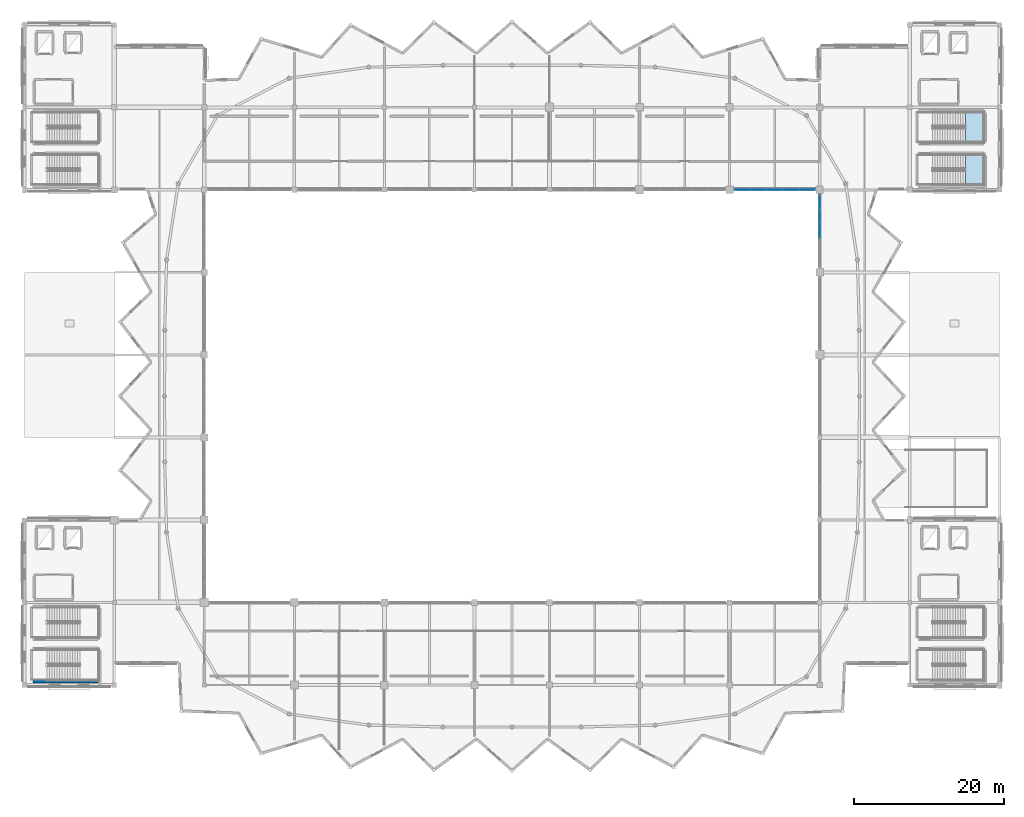
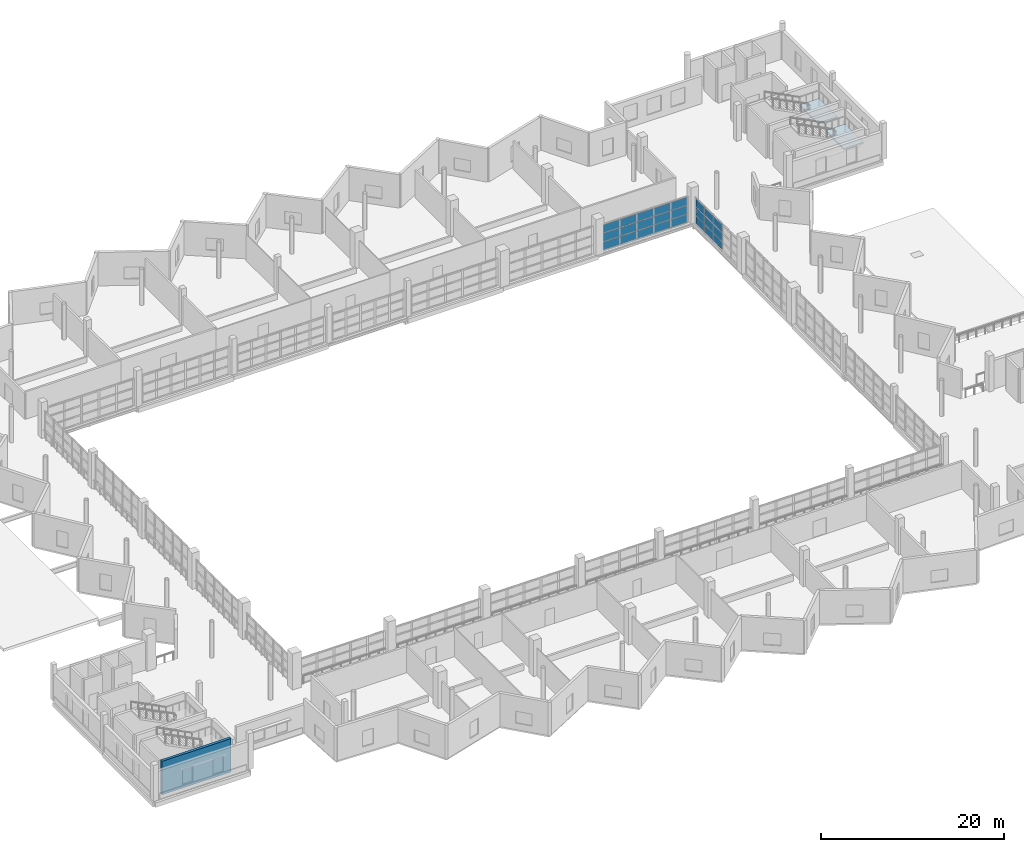
# One storey, part 34 of 53: 24 plates, 2 slabs, 1 wall, 4 elements without a shape of their own.
"""IFC4 building model written with IfcOpenShell, lengths in metres."""

from ifc_helpers import new_model, si_unit, direction, frame, frame_2d, origin, origin_2d, place, context, subcontext, project, spatial, polyline, rectangle, outline, extrude, material, layer, layer_set, type_object, element, aggregate, save


model = new_model("IFC4")

# Units and contexts
model_context = context("Model", 3, precision=1e-05, world=origin(), true_north=direction((0.0, 1.0)))
body_context = subcontext(model_context, "Body", "Model", "MODEL_VIEW")
ifc_project = project(units=[si_unit("LENGTHUNIT", "METRE"), si_unit("AREAUNIT", "SQUARE_METRE"), si_unit("VOLUMEUNIT", "CUBIC_METRE"), si_unit("PLANEANGLEUNIT", "RADIAN"), si_unit("MASSUNIT", "GRAM", prefix="KILO")], contexts=[model_context])

# Site, building, storey
site_placement = place(None, origin())
site = spatial("IfcSite", under=ifc_project, at=site_placement, CompositionType="ELEMENT")
building_placement = place(site_placement, origin())
building = spatial("IfcBuilding", under=site, at=building_placement, Name="Luwafu Chhajja Arena", CompositionType="ELEMENT")
storey_placement = place(building_placement, frame((0.0, 0.0, 19.5)))
storey = spatial("IfcBuildingStorey", under=building, at=storey_placement, Name="L04", CompositionType="ELEMENT", Elevation=19.5)

# Curtain wall, plates
ifc_material_1 = material(Name="Anodised bronze aluminium", Category="aluminium")
curtain_wall_type = type_object("IfcCurtainWallType", Name="Media Ribbon Curtain Wall", PredefinedType="USERDEFINED", material=ifc_material_1)
curtain_wall_1_placement = place(storey_placement, origin())
curtain_wall_1 = element("IfcCurtainWall", 1, at=curtain_wall_1_placement, inside=storey, type_object=curtain_wall_type, Name="L04 Bowl Viewing Curtain Wall CWR-L04-14", ObjectType="CURTAIN WALL", PredefinedType="USERDEFINED")
ifc_material_2 = material(Name="Solar-control laminated glass", Category="glass")
ifc_layer_1 = layer(ifc_material_2, 0.035888671875, Name="Solar-control laminated glass")
ifc_layer_set_1 = layer_set([ifc_layer_1], Name="Solar-control laminated glass")
plate_type = type_object("IfcPlateType", Name="Acoustic Broadcast Double Glazed CW Panel 36", PredefinedType="CURTAIN_PANEL", material=ifc_layer_set_1)
plate_1_placement = place(storey_placement, frame((129.73193359375, 77.0, 0.070068359375), z_axis=(0.0, 0.0, 1.0), x_axis=(1.0, 0.0, 0.0)))
plate_1 = element("IfcPlate", 2, at=plate_1_placement, type_object=plate_type, Name="CW-03 panel 1.1", PredefinedType="CURTAIN_PANEL", context=body_context, shape_type="SweptSolid", body=[
    extrude(rectangle(XDim=2.0439453125, YDim=0.035888671875, at=origin_2d()), origin(), (0.0, 0.0, 1.0), 1.044921875),
])
plate_2_placement = place(storey_placement, frame((129.73193359375, 77.0, 1.18505859375), z_axis=(0.0, 0.0, 1.0), x_axis=(1.0, 0.0, 0.0)))
plate_2 = element("IfcPlate", 3, at=plate_2_placement, type_object=plate_type, Name="CW-03 panel 1.2", PredefinedType="CURTAIN_PANEL", context=body_context, shape_type="SweptSolid", body=[
    extrude(rectangle(XDim=2.0439453125, YDim=0.035888671875, at=origin_2d()), origin(), (0.0, 0.0, 1.0), 1.10009765625),
])
plate_3_placement = place(storey_placement, frame((129.73193359375, 77.0, 2.35498046875), z_axis=(0.0, 0.0, 1.0), x_axis=(1.0, 0.0, 0.0)))
plate_3 = element("IfcPlate", 4, at=plate_3_placement, type_object=plate_type, Name="CW-03 panel 1.3", PredefinedType="CURTAIN_PANEL", context=body_context, shape_type="SweptSolid", body=[
    extrude(rectangle(XDim=2.0439453125, YDim=0.035888671875, at=origin_2d()), origin(), (0.0, 0.0, 1.0), 1.06494140625),
])
plate_4_placement = place(storey_placement, frame((131.863525390625, 77.0, 0.070068359375), z_axis=(0.0, 0.0, 1.0), x_axis=(1.0, 0.0, 0.0)))
plate_4 = element("IfcPlate", 5, at=plate_4_placement, type_object=plate_type, Name="CW-03 panel 2.1", PredefinedType="CURTAIN_PANEL", context=body_context, shape_type="SweptSolid", body=[
    extrude(rectangle(XDim=2.0791015625, YDim=0.035888671875, at=origin_2d()), origin(), (0.0, 0.0, 1.0), 1.044921875),
])
plate_5_placement = place(storey_placement, frame((131.863525390625, 77.0, 1.18505859375), z_axis=(0.0, 0.0, 1.0), x_axis=(1.0, 0.0, 0.0)))
plate_5 = element("IfcPlate", 6, at=plate_5_placement, type_object=plate_type, Name="CW-03 panel 2.2", PredefinedType="CURTAIN_PANEL", context=body_context, shape_type="SweptSolid", body=[
    extrude(rectangle(XDim=2.0791015625, YDim=0.035888671875, at=origin_2d()), origin(), (0.0, 0.0, 1.0), 1.10009765625),
])
plate_6_placement = place(storey_placement, frame((131.863525390625, 77.0, 2.35498046875), z_axis=(0.0, 0.0, 1.0), x_axis=(1.0, 0.0, 0.0)))
plate_6 = element("IfcPlate", 7, at=plate_6_placement, type_object=plate_type, Name="CW-03 panel 2.3", PredefinedType="CURTAIN_PANEL", context=body_context, shape_type="SweptSolid", body=[
    extrude(rectangle(XDim=2.0791015625, YDim=0.035888671875, at=origin_2d()), origin(), (0.0, 0.0, 1.0), 1.06494140625),
])
plate_7_placement = place(storey_placement, frame((134.012451171875, 77.0, 0.070068359375), z_axis=(0.0, 0.0, 1.0), x_axis=(1.0, 0.0, 0.0)))
plate_7 = element("IfcPlate", 8, at=plate_7_placement, type_object=plate_type, Name="CW-03 panel 3.1", PredefinedType="CURTAIN_PANEL", context=body_context, shape_type="SweptSolid", body=[
    extrude(rectangle(XDim=2.0791015625, YDim=0.035888671875, at=origin_2d()), origin(), (0.0, 0.0, 1.0), 1.044921875),
])
plate_8_placement = place(storey_placement, frame((134.012451171875, 77.0, 1.18505859375), z_axis=(0.0, 0.0, 1.0), x_axis=(1.0, 0.0, 0.0)))
plate_8 = element("IfcPlate", 9, at=plate_8_placement, type_object=plate_type, Name="CW-03 panel 3.2", PredefinedType="CURTAIN_PANEL", context=body_context, shape_type="SweptSolid", body=[
    extrude(rectangle(XDim=2.0791015625, YDim=0.035888671875, at=origin_2d()), origin(), (0.0, 0.0, 1.0), 1.10009765625),
])
plate_9_placement = place(storey_placement, frame((134.012451171875, 77.0, 2.35498046875), z_axis=(0.0, 0.0, 1.0), x_axis=(1.0, 0.0, 0.0)))
plate_9 = element("IfcPlate", 10, at=plate_9_placement, type_object=plate_type, Name="CW-03 panel 3.3", PredefinedType="CURTAIN_PANEL", context=body_context, shape_type="SweptSolid", body=[
    extrude(rectangle(XDim=2.0791015625, YDim=0.035888671875, at=origin_2d()), origin(), (0.0, 0.0, 1.0), 1.06494140625),
])
plate_10_placement = place(storey_placement, frame((136.16162109375, 77.0, 0.070068359375), z_axis=(0.0, 0.0, 1.0), x_axis=(1.0, 0.0, 0.0)))
plate_10 = element("IfcPlate", 11, at=plate_10_placement, type_object=plate_type, Name="CW-03 panel 4.1", PredefinedType="CURTAIN_PANEL", context=body_context, shape_type="SweptSolid", body=[
    extrude(rectangle(XDim=2.0791015625, YDim=0.035888671875, at=origin_2d()), origin(), (0.0, 0.0, 1.0), 1.044921875),
])
plate_11_placement = place(storey_placement, frame((136.16162109375, 77.0, 1.18505859375), z_axis=(0.0, 0.0, 1.0), x_axis=(1.0, 0.0, 0.0)))
plate_11 = element("IfcPlate", 12, at=plate_11_placement, type_object=plate_type, Name="CW-03 panel 4.2", PredefinedType="CURTAIN_PANEL", context=body_context, shape_type="SweptSolid", body=[
    extrude(rectangle(XDim=2.0791015625, YDim=0.035888671875, at=origin_2d()), origin(), (0.0, 0.0, 1.0), 1.10009765625),
])
plate_12_placement = place(storey_placement, frame((136.16162109375, 77.0, 2.35498046875), z_axis=(0.0, 0.0, 1.0), x_axis=(1.0, 0.0, 0.0)))
plate_12 = element("IfcPlate", 13, at=plate_12_placement, type_object=plate_type, Name="CW-03 panel 4.3", PredefinedType="CURTAIN_PANEL", context=body_context, shape_type="SweptSolid", body=[
    extrude(rectangle(XDim=2.0791015625, YDim=0.035888671875, at=origin_2d()), origin(), (0.0, 0.0, 1.0), 1.06494140625),
])
plate_13_placement = place(storey_placement, frame((138.29296875, 77.0, 0.070068359375), z_axis=(0.0, 0.0, 1.0), x_axis=(1.0, 0.0, 0.0)))
plate_13 = element("IfcPlate", 14, at=plate_13_placement, type_object=plate_type, Name="CW-03 panel 5.1", PredefinedType="CURTAIN_PANEL", context=body_context, shape_type="SweptSolid", body=[
    extrude(rectangle(XDim=2.0439453125, YDim=0.035888671875, at=origin_2d()), origin(), (0.0, 0.0, 1.0), 1.044921875),
])
plate_14_placement = place(storey_placement, frame((138.29296875, 77.0, 1.18505859375), z_axis=(0.0, 0.0, 1.0), x_axis=(1.0, 0.0, 0.0)))
plate_14 = element("IfcPlate", 15, at=plate_14_placement, type_object=plate_type, Name="CW-03 panel 5.2", PredefinedType="CURTAIN_PANEL", context=body_context, shape_type="SweptSolid", body=[
    extrude(rectangle(XDim=2.0439453125, YDim=0.035888671875, at=origin_2d()), origin(), (0.0, 0.0, 1.0), 1.10009765625),
])
plate_15_placement = place(storey_placement, frame((138.29296875, 77.0, 2.35498046875), z_axis=(0.0, 0.0, 1.0), x_axis=(1.0, 0.0, 0.0)))
plate_15 = element("IfcPlate", 16, at=plate_15_placement, type_object=plate_type, Name="CW-03 panel 5.3", PredefinedType="CURTAIN_PANEL", context=body_context, shape_type="SweptSolid", body=[
    extrude(rectangle(XDim=2.0439453125, YDim=0.035888671875, at=origin_2d()), origin(), (0.0, 0.0, 1.0), 1.06494140625),
])
aggregate(curtain_wall_1, [plate_1, plate_2, plate_3, plate_4, plate_5, plate_6, plate_7, plate_8, plate_9, plate_10, plate_11, plate_12, plate_13, plate_14, plate_15])

curtain_wall_2_placement = place(storey_placement, origin())
curtain_wall_2 = element("IfcCurtainWall", 17, at=curtain_wall_2_placement, inside=storey, type_object=curtain_wall_type, Name="L04 Bowl Viewing Curtain Wall CWR-L04-24", ObjectType="CURTAIN WALL", PredefinedType="USERDEFINED")
plate_16_placement = place(storey_placement, frame((140.0, 71.512451171875, 0.070068359375), z_axis=(0.0, 0.0, 1.0), x_axis=(0.0, 1.0, 0.0)))
plate_16 = element("IfcPlate", 18, at=plate_16_placement, type_object=plate_type, Name="CW-03 panel 3.1", PredefinedType="CURTAIN_PANEL", context=body_context, shape_type="SweptSolid", body=[
    extrude(rectangle(XDim=1.87890625, YDim=0.035888671875, at=origin_2d()), origin(), (0.0, 0.0, 1.0), 1.044921875),
])
plate_17_placement = place(storey_placement, frame((140.0, 71.512451171875, 1.18505859375), z_axis=(0.0, 0.0, 1.0), x_axis=(0.0, 1.0, 0.0)))
plate_17 = element("IfcPlate", 19, at=plate_17_placement, type_object=plate_type, Name="CW-03 panel 3.2", PredefinedType="CURTAIN_PANEL", context=body_context, shape_type="SweptSolid", body=[
    extrude(rectangle(XDim=1.87890625, YDim=0.035888671875, at=origin_2d()), origin(), (0.0, 0.0, 1.0), 1.10009765625),
])
plate_18_placement = place(storey_placement, frame((140.0, 71.512451171875, 2.35498046875), z_axis=(0.0, 0.0, 1.0), x_axis=(0.0, 1.0, 0.0)))
plate_18 = element("IfcPlate", 20, at=plate_18_placement, type_object=plate_type, Name="CW-03 panel 3.3", PredefinedType="CURTAIN_PANEL", context=body_context, shape_type="SweptSolid", body=[
    extrude(rectangle(XDim=1.87890625, YDim=0.035888671875, at=origin_2d()), origin(), (0.0, 0.0, 1.0), 1.06494140625),
])
plate_19_placement = place(storey_placement, frame((140.0, 73.46142578125, 0.070068359375), z_axis=(0.0, 0.0, 1.0), x_axis=(0.0, 1.0, 0.0)))
plate_19 = element("IfcPlate", 21, at=plate_19_placement, type_object=plate_type, Name="CW-03 panel 4.1", PredefinedType="CURTAIN_PANEL", context=body_context, shape_type="SweptSolid", body=[
    extrude(rectangle(XDim=1.87890625, YDim=0.035888671875, at=origin_2d()), origin(), (0.0, 0.0, 1.0), 1.044921875),
])
plate_20_placement = place(storey_placement, frame((140.0, 73.46142578125, 1.18505859375), z_axis=(0.0, 0.0, 1.0), x_axis=(0.0, 1.0, 0.0)))
plate_20 = element("IfcPlate", 22, at=plate_20_placement, type_object=plate_type, Name="CW-03 panel 4.2", PredefinedType="CURTAIN_PANEL", context=body_context, shape_type="SweptSolid", body=[
    extrude(rectangle(XDim=1.87890625, YDim=0.035888671875, at=origin_2d()), origin(), (0.0, 0.0, 1.0), 1.10009765625),
])
plate_21_placement = place(storey_placement, frame((140.0, 73.46142578125, 2.35498046875), z_axis=(0.0, 0.0, 1.0), x_axis=(0.0, 1.0, 0.0)))
plate_21 = element("IfcPlate", 23, at=plate_21_placement, type_object=plate_type, Name="CW-03 panel 4.3", PredefinedType="CURTAIN_PANEL", context=body_context, shape_type="SweptSolid", body=[
    extrude(rectangle(XDim=1.87890625, YDim=0.035888671875, at=origin_2d()), origin(), (0.0, 0.0, 1.0), 1.06494140625),
])
plate_22_placement = place(storey_placement, frame((140.0, 75.39306640625, 0.070068359375), z_axis=(0.0, 0.0, 1.0), x_axis=(0.0, 1.0, 0.0)))
plate_22 = element("IfcPlate", 24, at=plate_22_placement, type_object=plate_type, Name="CW-03 panel 5.1", PredefinedType="CURTAIN_PANEL", context=body_context, shape_type="SweptSolid", body=[
    extrude(rectangle(XDim=1.843994140625, YDim=0.035888671875, at=origin_2d()), origin(), (0.0, 0.0, 1.0), 1.044921875),
])
plate_23_placement = place(storey_placement, frame((140.0, 75.39306640625, 1.18505859375), z_axis=(0.0, 0.0, 1.0), x_axis=(0.0, 1.0, 0.0)))
plate_23 = element("IfcPlate", 25, at=plate_23_placement, type_object=plate_type, Name="CW-03 panel 5.2", PredefinedType="CURTAIN_PANEL", context=body_context, shape_type="SweptSolid", body=[
    extrude(rectangle(XDim=1.843994140625, YDim=0.035888671875, at=origin_2d()), origin(), (0.0, 0.0, 1.0), 1.10009765625),
])
plate_24_placement = place(storey_placement, frame((140.0, 75.39306640625, 2.35498046875), z_axis=(0.0, 0.0, 1.0), x_axis=(0.0, 1.0, 0.0)))
plate_24 = element("IfcPlate", 26, at=plate_24_placement, type_object=plate_type, Name="CW-03 panel 5.3", PredefinedType="CURTAIN_PANEL", context=body_context, shape_type="SweptSolid", body=[
    extrude(rectangle(XDim=1.843994140625, YDim=0.035888671875, at=origin_2d()), origin(), (0.0, 0.0, 1.0), 1.06494140625),
])
aggregate(curtain_wall_2, [plate_16, plate_17, plate_18, plate_19, plate_20, plate_21, plate_22, plate_23, plate_24])

# Stair, slab
ifc_material_3 = material(Name="Concrete C35/45", Category="concrete")
stair_type = type_object("IfcStairType", Name="Quadrant Protected Dog-Leg Stair 1920", PredefinedType="HALF_TURN_STAIR", material=ifc_material_3)
stair_1_placement = place(storey_placement, origin())
stair_1 = element("IfcStair", 27, at=stair_1_placement, inside=storey, type_object=stair_type, Name="L04 Protected Escape Stair ST-07", PredefinedType="HALF_TURN_STAIR")
ifc_layer_2 = layer(ifc_material_3, 0.199951171875, Name="Concrete C35/45")
ifc_layer_set_2 = layer_set([ifc_layer_2], Name="Concrete C35/45")
slab_type = type_object("IfcSlabType", Name="Escape Stair Landing Slab 200", PredefinedType="LANDING", material=ifc_layer_set_2)
slab_1_placement = place(storey_placement, frame((0.0, 0.0, 2.199951171875)))
slab_1 = element("IfcSlab", 28, at=slab_1_placement, type_object=slab_type, Name="ST-07 landing 1", PredefinedType="LANDING", context=body_context, shape_type="SweptSolid", body=[
    extrude(outline(polyline([(159.43994140625, 77.64990234375), (161.89990234375, 77.64990234375), (161.89990234375, 81.68994140625), (159.43994140625, 81.68994140625), (159.43994140625, 77.64990234375)])), origin(), (0.0, 0.0, 1.0), 0.199951171875),
])
aggregate(stair_1, [slab_1])

stair_2_placement = place(storey_placement, origin())
stair_2 = element("IfcStair", 29, at=stair_2_placement, inside=storey, type_object=stair_type, Name="L04 Protected Escape Stair ST-08", PredefinedType="HALF_TURN_STAIR")
slab_2_placement = place(storey_placement, frame((0.0, 0.0, 2.199951171875)))
slab_2 = element("IfcSlab", 30, at=slab_2_placement, type_object=slab_type, Name="ST-08 landing 1", PredefinedType="LANDING", context=body_context, shape_type="SweptSolid", body=[
    extrude(outline(polyline([(159.43994140625, 83.31005859375), (161.89990234375, 83.31005859375), (161.89990234375, 87.35009765625), (159.43994140625, 87.35009765625), (159.43994140625, 83.31005859375)])), origin(), (0.0, 0.0, 1.0), 0.199951171875),
])
aggregate(stair_2, [slab_2])

# Wall
ifc_material_4 = material(Name="Concrete C40/50", Category="concrete")
ifc_layer_3 = layer(ifc_material_4, 0.35009765625, Name="Concrete C40/50")
ifc_layer_set_3 = layer_set([ifc_layer_3], Name="Concrete C40/50")
wall_type = type_object("IfcWallType", Name="RC Core Shear Wall 350", PredefinedType="SOLIDWALL", material=ifc_layer_set_3)
wall_placement = place(storey_placement, frame((35.14990234375, 11.47802734375, 0.0), z_axis=(0.0, 0.0, 1.0), x_axis=(1.0, 0.0, 0.0)))
element("IfcWall", 31, at=wall_placement, inside=storey, type_object=wall_type, Name="L04 Stair ST-01 Core Shear Wall S", PredefinedType="SOLIDWALL", context=body_context, shape_type="SweptSolid", body=[
    extrude(rectangle(XDim=8.7001953125, YDim=0.35009765625, at=frame_2d((4.35009765625, 0.0))), origin(), (0.0, 0.0, 1.0), 4.4599609375),
])

save(model, "model.ifc")
